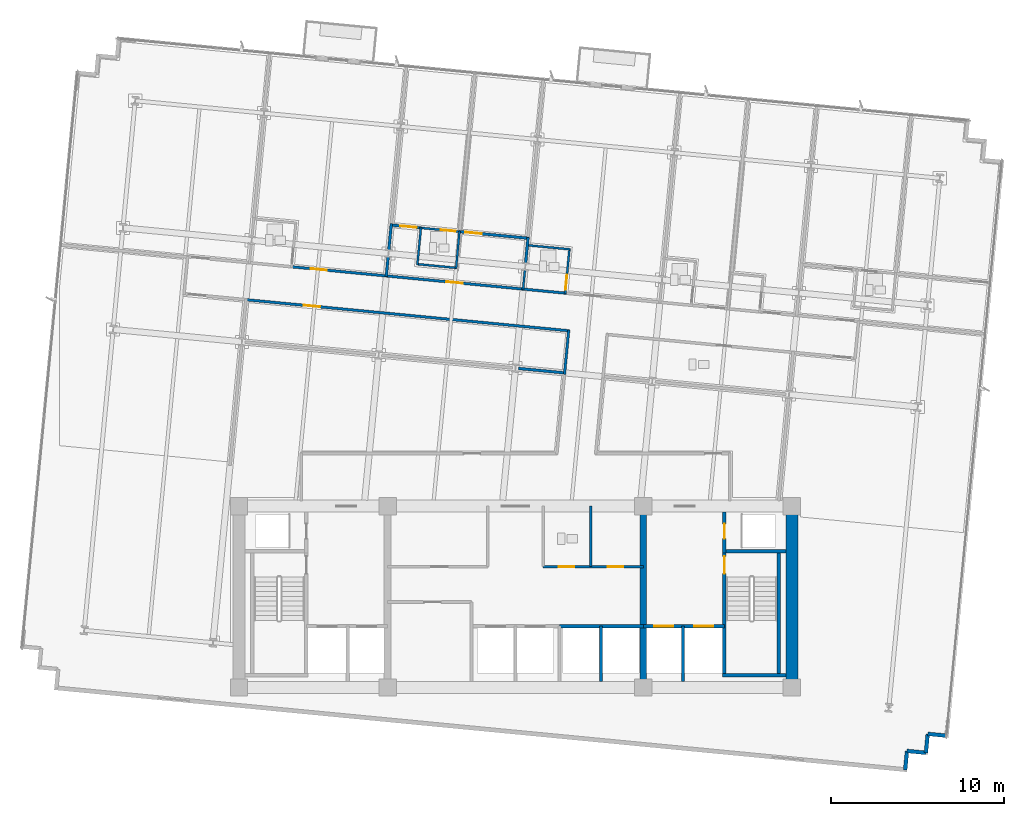
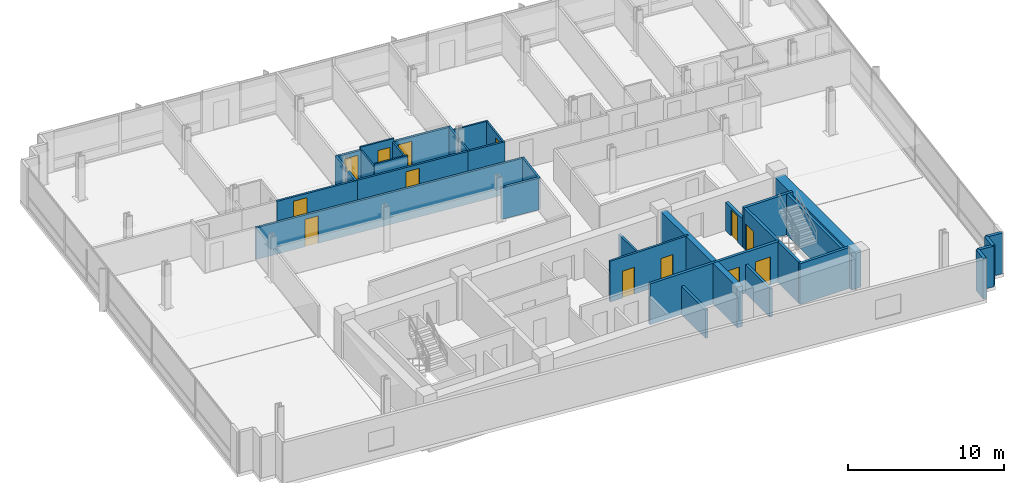
# One storey, part 11 of 17: 35 walls, 13 doors, 13 openings.
"""IFC4 building model written with IfcOpenShell, lengths in metres."""

from ifc_helpers import new_model, si_unit, direction, frame, frame_2d, origin, place, context, subcontext, project, spatial, rectangle, extrude, material, layer, layer_set, type_object, element, fill, save


model = new_model("IFC4")

# Units and contexts
model_context = context("Model", 3, precision=1e-05, world=origin(), true_north=direction((0.0, 1.0)))
body_context = subcontext(model_context, "Body", "Model", "MODEL_VIEW")
ifc_project = project(units=[si_unit("LENGTHUNIT", "METRE"), si_unit("AREAUNIT", "SQUARE_METRE"), si_unit("VOLUMEUNIT", "CUBIC_METRE"), si_unit("PLANEANGLEUNIT", "RADIAN"), si_unit("MASSUNIT", "GRAM", prefix="KILO")], contexts=[model_context])

# Site, building, storey
site_placement = place(None, origin())
site = spatial("IfcSite", under=ifc_project, at=site_placement, CompositionType="ELEMENT")
building_placement = place(site_placement, origin())
building = spatial("IfcBuilding", under=site, at=building_placement, Name="Solmavex Isthmus Hotel", CompositionType="ELEMENT")
storey_placement = place(building_placement, frame((0.0, 0.0, 142.800048828125)))
storey = spatial("IfcBuildingStorey", under=building, at=storey_placement, Name="L38", CompositionType="ELEMENT", Elevation=142.800048828125)

# Walls
ifc_material_1 = material(Name="Precast Concrete C40/50", Category="concrete")
ifc_layer_1 = layer(ifc_material_1, 0.25)
ifc_layer_set_1 = layer_set([ifc_layer_1], Name="Precast Concrete C40/50")
wall_type_1 = type_object("IfcWallType", Name="EW-TWR-250", PredefinedType="STANDARD", material=ifc_layer_set_1)
for number, where, z_axis, x_axis, name in (
    (1, (24.966552734375, -15.79052734375, 0.0), (0.0, 0.0, 1.0), (-0.995393156894, 0.095877334176, 0.0), "Serrated Corner Facade Panel L38-22"),
    (2, (23.87158203125, -15.68505859375, 0.0), (0.0, 0.0, 1.0), (-0.095877334176, -0.995393156894, 0.0), "Serrated Corner Facade Panel L38-23"),
    (3, (23.76611328125, -16.780029296875, 0.0), (0.0, 0.0, 1.0), (-0.995393156894, 0.095877334176, 0.0), "Serrated Corner Facade Panel L38-24"),
    (4, (22.671142578125, -16.674560546875, 0.0), (0.0, 0.0, 1.0), (-0.095657429048, -0.995414313875, 0.0), "Serrated Corner Facade Panel L38-25"),
):
    element("IfcWall", number, at=place(storey_placement, frame(where, z_axis=z_axis, x_axis=x_axis)), inside=storey, type_object=wall_type_1, Name=name, PredefinedType="STANDARD", context=body_context, shape_type="SweptSolid", body=[
        extrude(rectangle(XDim=1.10009765625, YDim=0.219970703125, at=frame_2d((0.550048828125, 0.0))), origin(), (0.0, 0.0, 1.0), 3.18994140625),
    ])
ifc_material_2 = material(Name="Gypsum plasterboard lining", Category="gypsum")
ifc_layer_2 = layer(ifc_material_2, 0.159912109375)
ifc_layer_set_2 = layer_set([ifc_layer_2], Name="Gypsum plasterboard lining")
wall_type_2 = type_object("IfcWallType", Name="IW-COMP-160", PredefinedType="PARTITIONING", material=ifc_layer_set_2)
wall_1_placement = place(storey_placement, frame((-7.36865234375, 11.95849609375, 0.0), z_axis=(0.0, 0.0, 1.0), x_axis=(-0.095831494917, -0.995397571115, 0.0)))
element("IfcWall", 5, at=wall_1_placement, inside=storey, type_object=wall_type_2, Name="Interior Partition Wall W-L38-P033", PredefinedType="PARTITIONING", context=body_context, shape_type="SweptSolid", body=[
    extrude(rectangle(XDim=1.171875, YDim=0.159912109375, at=frame_2d((0.5859375, 0.0))), origin(), (0.0, 0.0, 1.0), 2.4794921875),
])
wall_2_placement = place(storey_placement, frame((-7.185791015625, 13.857666015625, 0.0), z_axis=(0.0, 0.0, 1.0), x_axis=(-0.095867871334, -0.99539406832, 0.0)))
element("IfcWall", 6, at=wall_2_placement, inside=storey, type_object=wall_type_2, Name="Interior Partition Wall W-L38-P034", PredefinedType="PARTITIONING", context=body_context, shape_type="SweptSolid", body=[
    extrude(rectangle(XDim=1.555908203125, YDim=0.159912109375, at=frame_2d((0.77783203125, 0.0))), origin(), (0.0, 0.0, 1.0), 2.4794921875),
])

# Wall, opening, door
wall_3_placement = place(storey_placement, frame((-7.2333984375, 13.780029296875, 0.0), z_axis=(0.0, 0.0, 1.0), x_axis=(0.995392932756, -0.095879661139, 0.0)))
wall_3 = element("IfcWall", 7, at=wall_3_placement, inside=storey, type_object=wall_type_2, Name="Interior Partition Wall W-L38-P037", PredefinedType="PARTITIONING", context=body_context, shape_type="SweptSolid", body=[
    extrude(rectangle(XDim=1.807861328125, YDim=0.159912109375, at=frame_2d((0.90380859375, 0.0))), origin(), (0.0, 0.0, 1.0), 2.4794921875),
])
opening_1_placement = place(wall_3_placement, frame((0.57421875, 0.0, 0.0)))
opening_1 = element("IfcOpeningElement", 8, at=opening_1_placement, cuts=wall_3, Name="Opening ID-C095", PredefinedType="OPENING", context=body_context, shape_type="SweptSolid", body=[
    extrude(rectangle(XDim=0.949951171875, YDim=2.14990234375, at=frame_2d((0.47509765625, 1.074951171875))), frame((0.0, 0.08984375, 0.0), z_axis=(0.0, -1.0, 0.0), x_axis=(1.0, 0.0, 0.0)), (0.0, 0.0, 1.0), 0.179931640625),
])
ifc_material_3 = material(Name="Hardwood timber", Category="wood")
door_type_1 = type_object("IfcDoorType", Name="IDR-FD60-0950", OperationType="NOTDEFINED", PredefinedType="DOOR", material=ifc_material_3)
door_1_placement = place(opening_1_placement, origin())
door_1 = element("IfcDoor", 9, at=door_1_placement, inside=storey, type_object=door_type_1, Name="Premier Suite Bedroom Door L38-05", OperationType="SINGLE_SWING_LEFT", OverallHeight=2.14990234375, OverallWidth=0.949951171875, PredefinedType="DOOR", context=body_context, shape_type="SweptSolid", body=[
    extrude(rectangle(XDim=0.949951171875, YDim=2.14990234375, at=frame_2d((0.47509765625, 1.074951171875))), frame((0.0, 0.02490234375, 0.0), z_axis=(0.0, -1.0, 0.0), x_axis=(1.0, 0.0, 0.0)), (0.0, 0.0, 1.0), 0.050048828125),
])
fill(opening_1, door_1)

wall_4_placement = place(storey_placement, frame((-3.28369140625, 13.399658203125, 0.0), z_axis=(0.0, 0.0, 1.0), x_axis=(0.995395934192, -0.095848496045, 0.0)))
wall_4 = element("IfcWall", 10, at=wall_4_placement, inside=storey, type_object=wall_type_2, Name="Interior Partition Wall W-L38-P038", PredefinedType="PARTITIONING", context=body_context, shape_type="SweptSolid", body=[
    extrude(rectangle(XDim=4.06787109375, YDim=0.159912109375, at=frame_2d((2.033935546875, 0.0))), origin(), (0.0, 0.0, 1.0), 2.4794921875),
])
opening_2_placement = place(wall_4_placement, frame((0.386474609375, 0.0, 0.0)))
opening_2 = element("IfcOpeningElement", 11, at=opening_2_placement, cuts=wall_4, Name="Opening ID-C095", PredefinedType="OPENING", context=body_context, shape_type="SweptSolid", body=[
    extrude(rectangle(XDim=0.949951171875, YDim=2.14990234375, at=frame_2d((0.47509765625, 1.074951171875))), frame((0.0, 0.08984375, 0.0), z_axis=(0.0, -1.0, 0.0), x_axis=(1.0, 0.0, 0.0)), (0.0, 0.0, 1.0), 0.179931640625),
])
door_2_placement = place(opening_2_placement, origin())
door_2 = element("IfcDoor", 12, at=door_2_placement, inside=storey, type_object=door_type_1, Name="Premier Suite Sitting Lounge Door L38-06", OperationType="SINGLE_SWING_RIGHT", OverallHeight=2.14990234375, OverallWidth=0.949951171875, PredefinedType="DOOR", context=body_context, shape_type="SweptSolid", body=[
    extrude(rectangle(XDim=0.949951171875, YDim=2.14990234375, at=frame_2d((0.47509765625, 1.074951171875))), frame((0.0, 0.02490234375, 0.0), z_axis=(0.0, -1.0, 0.0), x_axis=(1.0, 0.0, 0.0)), (0.0, 0.0, 1.0), 0.050048828125),
])
fill(opening_2, door_2)

# Walls
wall_5_placement = place(storey_placement, frame((0.7294921875, 13.053466796875, 0.0), z_axis=(0.0, 0.0, 1.0), x_axis=(-0.095783075571, -0.995402231479, 0.0)))
element("IfcWall", 13, at=wall_5_placement, inside=storey, type_object=wall_type_2, Name="Interior Partition Wall W-L38-P042", PredefinedType="PARTITIONING", context=body_context, shape_type="SweptSolid", body=[
    extrude(rectangle(XDim=1.51416015625, YDim=0.159912109375, at=frame_2d((0.757080078125, 0.0))), origin(), (0.0, 0.0, 1.0), 2.4794921875),
])
wall_6_placement = place(storey_placement, frame((2.885986328125, 5.212646484375, 0.0), z_axis=(0.0, 0.0, 1.0), x_axis=(-0.995401466761, 0.095791022391, 0.0)))
element("IfcWall", 14, at=wall_6_placement, inside=storey, type_object=wall_type_2, Name="Interior Partition Wall W-L38-P078", PredefinedType="PARTITIONING", context=body_context, shape_type="SweptSolid", body=[
    extrude(rectangle(XDim=2.721923828125, YDim=0.159912109375, at=frame_2d((1.36083984375, 0.0))), origin(), (0.0, 0.0, 1.0), 2.4794921875),
])

# Wall, openings, doors
ifc_layer_3 = layer(ifc_material_2, 0.14990234375)
ifc_layer_set_3 = layer_set([ifc_layer_3], Name="Gypsum plasterboard lining")
wall_type_3 = type_object("IfcWallType", Name="IW-CORR-150", PredefinedType="PARTITIONING", material=ifc_layer_set_3)
wall_7_placement = place(storey_placement, frame((1.60009765625, -6.0, 0.0), z_axis=(0.0, 0.0, 1.0), x_axis=(1.0, 0.0, 0.0)))
wall_7 = element("IfcWall", 15, at=wall_7_placement, inside=storey, type_object=wall_type_3, Name="Interior Partition Wall W-L38-BOH-ES", PredefinedType="PARTITIONING", context=body_context, shape_type="SweptSolid", body=[
    extrude(rectangle(XDim=5.7998046875, YDim=0.14990234375, at=frame_2d((2.89990234375, 0.0))), origin(), (0.0, 0.0, 1.0), 3.18994140625),
])
opening_3_placement = place(wall_7_placement, frame((0.89990234375, 0.0, 0.0)))
opening_3 = element("IfcOpeningElement", 16, at=opening_3_placement, cuts=wall_7, Name="Opening ID-C090", PredefinedType="OPENING", context=body_context, shape_type="SweptSolid", body=[
    extrude(rectangle(XDim=0.89990234375, YDim=2.10009765625, at=frame_2d((0.449951171875, 1.050048828125))), frame((0.0, 0.0849609375, 0.0), z_axis=(0.0, -1.0, 0.0), x_axis=(1.0, 0.0, 0.0)), (0.0, 0.0, 1.0), 0.169921875),
])
opening_4_placement = place(wall_7_placement, frame((3.75, 0.0, 0.0)))
opening_4 = element("IfcOpeningElement", 17, at=opening_4_placement, cuts=wall_7, Name="Opening ID-C090", PredefinedType="OPENING", context=body_context, shape_type="SweptSolid", body=[
    extrude(rectangle(XDim=0.89990234375, YDim=2.10009765625, at=frame_2d((0.449951171875, 1.050048828125))), frame((0.0, 0.0849609375, 0.0), z_axis=(0.0, -1.0, 0.0), x_axis=(1.0, 0.0, 0.0)), (0.0, 0.0, 1.0), 0.169921875),
])
door_type_2 = type_object("IfcDoorType", Name="IDR-FD60-0900", OperationType="NOTDEFINED", PredefinedType="DOOR", material=ifc_material_3)
door_3_placement = place(opening_3_placement, frame((0.89990234375, 0.0, 0.0), z_axis=(0.0, 0.0, 1.0), x_axis=(-1.0, 0.0, 0.0)))
door_3 = element("IfcDoor", 18, at=door_3_placement, inside=storey, type_object=door_type_2, Name="Staff WC Door L38", OperationType="SINGLE_SWING_RIGHT", OverallHeight=2.10009765625, OverallWidth=0.89990234375, PredefinedType="DOOR", context=body_context, shape_type="SweptSolid", body=[
    extrude(rectangle(XDim=0.89990234375, YDim=2.10009765625, at=frame_2d((0.449951171875, 1.050048828125))), frame((0.0, 0.02490234375, 0.0), z_axis=(0.0, -1.0, 0.0), x_axis=(1.0, 0.0, 0.0)), (0.0, 0.0, 1.0), 0.050048828125),
])
fill(opening_3, door_3)
door_4_placement = place(opening_4_placement, frame((0.89990234375, 0.0, 0.0), z_axis=(0.0, 0.0, 1.0), x_axis=(-1.0, 0.0, 0.0)))
door_4 = element("IfcDoor", 19, at=door_4_placement, inside=storey, type_object=door_type_2, Name="Pantry Door L38", OperationType="SINGLE_SWING_LEFT", OverallHeight=2.10009765625, OverallWidth=0.89990234375, PredefinedType="DOOR", context=body_context, shape_type="SweptSolid", body=[
    extrude(rectangle(XDim=0.89990234375, YDim=2.10009765625, at=frame_2d((0.449951171875, 1.050048828125))), frame((0.0, 0.02490234375, 0.0), z_axis=(0.0, -1.0, 0.0), x_axis=(1.0, 0.0, 0.0)), (0.0, 0.0, 1.0), 0.050048828125),
])
fill(opening_4, door_4)

# Wall, opening, door
wall_8_placement = place(storey_placement, frame((-13.03955078125, 11.3671875, 0.0), z_axis=(0.0, 0.0, 1.0), x_axis=(0.995396240334, -0.095845316679, 0.0)))
wall_8 = element("IfcWall", 20, at=wall_8_placement, inside=storey, type_object=wall_type_3, Name="Interior Partition Wall W-L38-P002", PredefinedType="PARTITIONING", context=body_context, shape_type="SweptSolid", body=[
    extrude(rectangle(XDim=5.670166015625, YDim=0.14990234375, at=frame_2d((2.8349609375, 0.0))), origin(), (0.0, 0.0, 1.0), 2.4794921875),
])
opening_5_placement = place(wall_8_placement, frame((1.18603515625, 0.0, 0.0)))
opening_5 = element("IfcOpeningElement", 21, at=opening_5_placement, cuts=wall_8, Name="Opening ID-C095", PredefinedType="OPENING", context=body_context, shape_type="SweptSolid", body=[
    extrude(rectangle(XDim=0.949951171875, YDim=2.14990234375, at=frame_2d((0.47509765625, 1.074951171875))), frame((0.0, 0.0849609375, 0.0), z_axis=(0.0, -1.0, 0.0), x_axis=(1.0, 0.0, 0.0)), (0.0, 0.0, 1.0), 0.169921875),
])
door_5_placement = place(opening_5_placement, frame((0.949951171875, 0.0, 0.0), z_axis=(0.0, 0.0, 1.0), x_axis=(-1.0, 0.0, 0.0)))
door_5 = element("IfcDoor", 22, at=door_5_placement, inside=storey, type_object=door_type_1, Name="Premier Suite Door L38-02", OperationType="SINGLE_SWING_RIGHT", OverallHeight=2.14990234375, OverallWidth=0.949951171875, PredefinedType="DOOR", context=body_context, shape_type="SweptSolid", body=[
    extrude(rectangle(XDim=0.949951171875, YDim=2.14990234375, at=frame_2d((0.47509765625, 1.074951171875))), frame((0.0, 0.02490234375, 0.0), z_axis=(0.0, -1.0, 0.0), x_axis=(1.0, 0.0, 0.0)), (0.0, 0.0, 1.0), 0.050048828125),
])
fill(opening_5, door_5)

wall_9_placement = place(storey_placement, frame((-7.558837890625, 10.839599609375, 0.0), z_axis=(0.0, 0.0, 1.0), x_axis=(0.995395467524, -0.095853342309, 0.0)))
wall_9 = element("IfcWall", 23, at=wall_9_placement, inside=storey, type_object=wall_type_3, Name="Interior Partition Wall W-L38-P004", PredefinedType="PARTITIONING", context=body_context, shape_type="SweptSolid", body=[
    extrude(rectangle(XDim=8.119873046875, YDim=0.14990234375, at=frame_2d((4.06005859375, 0.0))), origin(), (0.0, 0.0, 1.0), 2.4794921875),
])
opening_6_placement = place(wall_9_placement, frame((3.5849609375, 0.0, 0.0)))
opening_6 = element("IfcOpeningElement", 24, at=opening_6_placement, cuts=wall_9, Name="Opening ID-C095", PredefinedType="OPENING", context=body_context, shape_type="SweptSolid", body=[
    extrude(rectangle(XDim=0.949951171875, YDim=2.14990234375, at=frame_2d((0.47509765625, 1.074951171875))), frame((0.0, 0.0849609375, 0.0), z_axis=(0.0, -1.0, 0.0), x_axis=(1.0, 0.0, 0.0)), (0.0, 0.0, 1.0), 0.169921875),
])
door_6_placement = place(opening_6_placement, frame((0.949951171875, 0.0, 0.0), z_axis=(0.0, 0.0, 1.0), x_axis=(-1.0, 0.0, 0.0)))
door_6 = element("IfcDoor", 25, at=door_6_placement, inside=storey, type_object=door_type_1, Name="Premier Suite Reception Foyer Door L38-04", OperationType="SINGLE_SWING_RIGHT", OverallHeight=2.14990234375, OverallWidth=0.949951171875, PredefinedType="DOOR", context=body_context, shape_type="SweptSolid", body=[
    extrude(rectangle(XDim=0.949951171875, YDim=2.14990234375, at=frame_2d((0.47509765625, 1.074951171875))), frame((0.0, 0.02490234375, 0.0), z_axis=(0.0, -1.0, 0.0), x_axis=(1.0, 0.0, 0.0)), (0.0, 0.0, 1.0), 0.050048828125),
])
fill(opening_6, door_6)

# Walls
wall_10_placement = place(storey_placement, frame((0.360595703125, 10.076904296875, 0.0), z_axis=(0.0, 0.0, 1.0), x_axis=(0.995397556197, -0.095831649869, 0.0)))
element("IfcWall", 26, at=wall_10_placement, inside=storey, type_object=wall_type_3, Name="Interior Partition Wall W-L38-P006", PredefinedType="PARTITIONING", context=body_context, shape_type="SweptSolid", body=[
    extrude(rectangle(XDim=2.61376953125, YDim=0.14990234375, at=frame_2d((1.306884765625, 0.0))), origin(), (0.0, 0.0, 1.0), 2.4794921875),
])
wall_11_placement = place(storey_placement, frame((2.83837890625, 5.134765625, 0.0), z_axis=(0.0, 0.0, 1.0), x_axis=(0.095772090971, 0.995403288417, 0.0)))
element("IfcWall", 27, at=wall_11_placement, inside=storey, type_object=wall_type_3, Name="Interior Partition Wall W-L38-P014", PredefinedType="PARTITIONING", context=body_context, shape_type="SweptSolid", body=[
    extrude(rectangle(XDim=2.572021484375, YDim=0.14990234375, at=frame_2d((1.2861328125, 0.0))), origin(), (0.0, 0.0, 1.0), 2.4794921875),
])

# Wall, opening, door
wall_12_placement = place(storey_placement, frame((3.120849609375, 7.6513671875, 0.0), z_axis=(0.0, 0.0, 1.0), x_axis=(-0.995397135603, 0.095836018457, 0.0)))
wall_12 = element("IfcWall", 28, at=wall_12_placement, inside=storey, type_object=wall_type_3, Name="Interior Partition Wall W-L38-P015", PredefinedType="PARTITIONING", context=body_context, shape_type="SweptSolid", body=[
    extrude(rectangle(XDim=18.89208984375, YDim=0.14990234375, at=frame_2d((9.446044921875, 0.0))), origin(), (0.0, 0.0, 1.0), 2.4794921875),
])
opening_7_placement = place(wall_12_placement, frame((14.501708984375, 0.0, 0.0)))
opening_7 = element("IfcOpeningElement", 29, at=opening_7_placement, cuts=wall_12, Name="Opening ID-C095", PredefinedType="OPENING", context=body_context, shape_type="SweptSolid", body=[
    extrude(rectangle(XDim=0.949951171875, YDim=2.14990234375, at=frame_2d((0.47509765625, 1.074951171875))), frame((0.0, 0.0849609375, 0.0), z_axis=(0.0, -1.0, 0.0), x_axis=(1.0, 0.0, 0.0)), (0.0, 0.0, 1.0), 0.169921875),
])
door_7_placement = place(opening_7_placement, frame((0.949951171875, 0.0, 0.0), z_axis=(0.0, 0.0, 1.0), x_axis=(-1.0, 0.0, 0.0)))
door_7 = element("IfcDoor", 30, at=door_7_placement, inside=storey, type_object=door_type_1, Name="Wellness Treatment Room Door L38-19", OperationType="SINGLE_SWING_LEFT", OverallHeight=2.14990234375, OverallWidth=0.949951171875, PredefinedType="DOOR", context=body_context, shape_type="SweptSolid", body=[
    extrude(rectangle(XDim=0.949951171875, YDim=2.14990234375, at=frame_2d((0.47509765625, 1.074951171875))), frame((0.0, 0.02490234375, 0.0), z_axis=(0.0, -1.0, 0.0), x_axis=(1.0, 0.0, 0.0)), (0.0, 0.0, 1.0), 0.050048828125),
])
fill(opening_7, door_7)

# Walls
ifc_layer_4 = layer(ifc_material_2, 0.1201171875)
ifc_layer_set_4 = layer_set([ifc_layer_4], Name="Gypsum plasterboard lining")
wall_type_4 = type_object("IfcWallType", Name="IW-PART-120", PredefinedType="PARTITIONING", material=ifc_layer_set_4)
wall_13_placement = place(storey_placement, frame((4.35009765625, -6.0, 0.0), z_axis=(0.0, 0.0, 1.0), x_axis=(0.0, 1.0, 0.0)))
element("IfcWall", 31, at=wall_13_placement, inside=storey, type_object=wall_type_4, Name="Interior Partition Wall W-L38-BOH-EM0", PredefinedType="PARTITIONING", context=body_context, shape_type="SweptSolid", body=[
    extrude(rectangle(XDim=3.5, YDim=0.14990234375, at=frame_2d((1.75, 0.0))), origin(), (0.0, 0.0, 1.0), 2.224853515625),
])
wall_14_placement = place(storey_placement, frame((-5.4697265625, 13.650390625, 0.0), z_axis=(0.0, 0.0, 1.0), x_axis=(-0.095846349626, -0.995396140872, 0.0)))
element("IfcWall", 32, at=wall_14_placement, inside=storey, type_object=wall_type_4, Name="Interior Partition Wall W-L38-P039", PredefinedType="PARTITIONING", context=body_context, shape_type="SweptSolid", body=[
    extrude(rectangle(XDim=2.18798828125, YDim=0.1201171875, at=frame_2d((1.093994140625, 0.0))), origin(), (0.0, 0.0, 1.0), 2.4794921875),
])
wall_15_placement = place(storey_placement, frame((-5.715576171875, 11.51611328125, 0.0), z_axis=(0.0, 0.0, 1.0), x_axis=(0.995393658532, -0.095872126059, 0.0)))
element("IfcWall", 33, at=wall_15_placement, inside=storey, type_object=wall_type_4, Name="Interior Partition Wall W-L38-P040", PredefinedType="PARTITIONING", context=body_context, shape_type="SweptSolid", body=[
    extrude(rectangle(XDim=2.330078125, YDim=0.1201171875, at=frame_2d((1.1650390625, 0.0))), origin(), (0.0, 0.0, 1.0), 2.718017578125),
])
wall_16_placement = place(storey_placement, frame((-3.439697265625, 11.256591796875, 0.0), z_axis=(0.0, 0.0, 1.0), x_axis=(0.091159469261, 0.995836307414, 0.0)))
element("IfcWall", 34, at=wall_16_placement, inside=storey, type_object=wall_type_4, Name="Interior Partition Wall W-L38-P041", PredefinedType="PARTITIONING", context=body_context, shape_type="SweptSolid", body=[
    extrude(rectangle(XDim=2.18798828125, YDim=0.1201171875, at=frame_2d((1.093994140625, 0.0))), origin(), (0.0, 0.0, 1.0), 2.4794921875),
])
wall_17_placement = place(storey_placement, frame((0.55078125, 11.196044921875, 0.0), z_axis=(0.0, 0.0, 1.0), x_axis=(-0.096017994315, -0.995379598328, 0.0)))
element("IfcWall", 35, at=wall_17_placement, inside=storey, type_object=wall_type_4, Name="Interior Partition Wall W-L38-P043", PredefinedType="PARTITIONING", context=body_context, shape_type="SweptSolid", body=[
    extrude(rectangle(XDim=1.172119140625, YDim=0.1201171875, at=frame_2d((0.5859375, 0.0))), origin(), (0.0, 0.0, 1.0), 2.4794921875),
])

# Wall, opening, door
wall_18_placement = place(storey_placement, frame((-3.194091796875, 13.390869140625, 0.0), z_axis=(0.0, 0.0, 1.0), x_axis=(-0.995388451302, 0.095926174813, 0.0)))
wall_18 = element("IfcWall", 36, at=wall_18_placement, inside=storey, type_object=wall_type_4, Name="Interior Partition Wall W-L38-P045", PredefinedType="PARTITIONING", context=body_context, shape_type="SweptSolid", body=[
    extrude(rectangle(XDim=2.3720703125, YDim=0.1201171875, at=frame_2d((1.18603515625, 0.0))), origin(), (0.0, 0.0, 1.0), 2.718017578125),
])
opening_8_placement = place(wall_18_placement, frame((0.27978515625, 0.0, 0.0)))
opening_8 = element("IfcOpeningElement", 37, at=opening_8_placement, cuts=wall_18, Name="Opening ID-U085", PredefinedType="OPENING", context=body_context, shape_type="SweptSolid", body=[
    extrude(rectangle(XDim=0.85009765625, YDim=2.10009765625, at=frame_2d((0.425048828125, 1.050048828125))), frame((0.0, 0.070068359375, 0.0), z_axis=(0.0, -1.0, 0.0), x_axis=(1.0, 0.0, 0.0)), (0.0, 0.0, 1.0), 0.14013671875),
])
door_type_3 = type_object("IfcDoorType", Name="IDR-UNR-0850", OperationType="NOTDEFINED", PredefinedType="DOOR", material=ifc_material_3)
door_8_placement = place(opening_8_placement, frame((0.85009765625, 0.0, 0.0), z_axis=(0.0, 0.0, 1.0), x_axis=(-1.0, 0.0, 0.0)))
door_8 = element("IfcDoor", 38, at=door_8_placement, inside=storey, type_object=door_type_3, Name="En-suite Bathroom Door L38-07", OperationType="SINGLE_SWING_LEFT", OverallHeight=2.10009765625, OverallWidth=0.85009765625, PredefinedType="DOOR", context=body_context, shape_type="SweptSolid", body=[
    extrude(rectangle(XDim=0.85009765625, YDim=2.10009765625, at=frame_2d((0.425048828125, 1.050048828125))), frame((0.0, 0.02490234375, 0.0), z_axis=(0.0, -1.0, 0.0), x_axis=(1.0, 0.0, 0.0)), (0.0, 0.0, 1.0), 0.050048828125),
])
fill(opening_8, door_8)

wall_19_placement = place(storey_placement, frame((2.876953125, 9.79443359375, 0.0), z_axis=(0.0, 0.0, 1.0), x_axis=(0.095891053428, 0.995391835345, 0.0)))
wall_19 = element("IfcWall", 39, at=wall_19_placement, inside=storey, type_object=wall_type_4, Name="Interior Partition Wall W-L38-P048", PredefinedType="PARTITIONING", context=body_context, shape_type="SweptSolid", body=[
    extrude(rectangle(XDim=2.630126953125, YDim=0.1201171875, at=frame_2d((1.31494140625, 0.0))), origin(), (0.0, 0.0, 1.0), 2.4794921875),
])
opening_9_placement = place(wall_19_placement, frame((0.247314453125, 0.0, 0.0)))
opening_9 = element("IfcOpeningElement", 40, at=opening_9_placement, cuts=wall_19, Name="Opening ID-U085", PredefinedType="OPENING", context=body_context, shape_type="SweptSolid", body=[
    extrude(rectangle(XDim=0.85009765625, YDim=2.10009765625, at=frame_2d((0.425048828125, 1.050048828125))), frame((0.0, 0.070068359375, 0.0), z_axis=(0.0, -1.0, 0.0), x_axis=(1.0, 0.0, 0.0)), (0.0, 0.0, 1.0), 0.14013671875),
])
door_9_placement = place(opening_9_placement, frame((0.85009765625, 0.0, 0.0), z_axis=(0.0, 0.0, 1.0), x_axis=(-1.0, 0.0, 0.0)))
door_9 = element("IfcDoor", 41, at=door_9_placement, inside=storey, type_object=door_type_3, Name="En-suite Bathroom Door L38-09", OperationType="SINGLE_SWING_LEFT", OverallHeight=2.10009765625, OverallWidth=0.85009765625, PredefinedType="DOOR", context=body_context, shape_type="SweptSolid", body=[
    extrude(rectangle(XDim=0.85009765625, YDim=2.10009765625, at=frame_2d((0.425048828125, 1.050048828125))), frame((0.0, 0.02490234375, 0.0), z_axis=(0.0, -1.0, 0.0), x_axis=(1.0, 0.0, 0.0)), (0.0, 0.0, 1.0), 0.050048828125),
])
fill(opening_9, door_9)

# Walls
wall_20_placement = place(storey_placement, frame((3.1650390625, 12.36865234375, 0.0), z_axis=(0.0, 0.0, 1.0), x_axis=(-0.995389028655, 0.095920183663, 0.0)))
element("IfcWall", 42, at=wall_20_placement, inside=storey, type_object=wall_type_4, Name="Interior Partition Wall W-L38-P049", PredefinedType="PARTITIONING", context=body_context, shape_type="SweptSolid", body=[
    extrude(rectangle(XDim=2.530029296875, YDim=0.1201171875, at=frame_2d((1.26513671875, 0.0))), origin(), (0.0, 0.0, 1.0), 2.4794921875),
])
ifc_material_4 = material(Name="Concrete C40/50", Category="concrete")
ifc_layer_5 = layer(ifc_material_4, 0.179931640625)
ifc_layer_set_5 = layer_set([ifc_layer_5], Name="Concrete C40/50")
wall_type_5 = type_object("IfcWallType", Name="IW-SHAFT-180", PredefinedType="PARTITIONING", material=ifc_layer_set_5)
wall_21_placement = place(storey_placement, frame((4.949951171875, -12.64990234375, 0.0), z_axis=(0.0, 0.0, 1.0), x_axis=(0.0, 1.0, 0.0)))
element("IfcWall", 43, at=wall_21_placement, inside=storey, type_object=wall_type_5, Name="Interior Partition Wall W-L38-SH-PLH-M", PredefinedType="PARTITIONING", context=body_context, shape_type="SweptSolid", body=[
    extrude(rectangle(XDim=3.199951171875, YDim=0.179931640625, at=frame_2d((1.60009765625, 0.0))), origin(), (0.0, 0.0, 1.0), 2.224853515625),
])

# Wall, opening, door
ifc_layer_6 = layer(ifc_material_4, 0.199951171875)
ifc_layer_set_6 = layer_set([ifc_layer_6], Name="Concrete C40/50")
wall_type_6 = type_object("IfcWallType", Name="IW-SHAFT-200", PredefinedType="PARTITIONING", material=ifc_layer_set_6)
wall_22_placement = place(storey_placement, frame((12.10009765625, -5.199951171875, 0.0), z_axis=(0.0, 0.0, 1.0), x_axis=(0.0, 1.0, 0.0)))
wall_22 = element("IfcWall", 44, at=wall_22_placement, inside=storey, type_object=wall_type_6, Name="Interior Partition Wall W-L38-RSE-W", PredefinedType="PARTITIONING", context=body_context, shape_type="SweptSolid", body=[
    extrude(rectangle(XDim=2.349853515625, YDim=0.199951171875, at=frame_2d((1.1748046875, 0.0))), origin(), (0.0, 0.0, 1.0), 2.224853515625),
])
opening_10_placement = place(wall_22_placement, frame((0.824951171875, 0.0, 0.0)))
opening_10 = element("IfcOpeningElement", 45, at=opening_10_placement, cuts=wall_22, Name="Opening ID-R085", PredefinedType="OPENING", context=body_context, shape_type="SweptSolid", body=[
    extrude(rectangle(XDim=0.85009765625, YDim=2.050048828125, at=frame_2d((0.425048828125, 1.02490234375))), frame((0.0, 0.10986328125, 0.0), z_axis=(0.0, -1.0, 0.0), x_axis=(1.0, 0.0, 0.0)), (0.0, 0.0, 1.0), 0.219970703125),
])
ifc_material_5 = material(Name="Steel ASTM A500 Grade C", Category="steel")
door_type_4 = type_object("IfcDoorType", Name="IDR-FD60-0850", OperationType="NOTDEFINED", PredefinedType="DOOR", material=ifc_material_5)
door_10_placement = place(opening_10_placement, frame((0.85009765625, 0.0, 0.0), z_axis=(0.0, 0.0, 1.0), x_axis=(-1.0, 0.0, 0.0)))
door_10 = element("IfcDoor", 46, at=door_10_placement, inside=storey, type_object=door_type_4, Name="Mechanical Riser Door L38", OperationType="SINGLE_SWING_LEFT", OverallHeight=2.050048828125, OverallWidth=0.85009765625, PredefinedType="DOOR", context=body_context, shape_type="SweptSolid", body=[
    extrude(rectangle(XDim=0.85009765625, YDim=2.050048828125, at=frame_2d((0.425048828125, 1.02490234375))), frame((0.0, 0.02490234375, 0.0), z_axis=(0.0, -1.0, 0.0), x_axis=(1.0, 0.0, 0.0)), (0.0, 0.0, 1.0), 0.050048828125),
])
fill(opening_10, door_10)

# Wall, openings, doors
wall_23_placement = place(storey_placement, frame((7.39990234375, -9.449951171875, 0.0), z_axis=(0.0, 0.0, 1.0), x_axis=(1.0, 0.0, 0.0)))
wall_23 = element("IfcWall", 47, at=wall_23_placement, inside=storey, type_object=wall_type_6, Name="Interior Partition Wall W-L38-FFLE-S", PredefinedType="PARTITIONING", context=body_context, shape_type="SweptSolid", body=[
    extrude(rectangle(XDim=4.7001953125, YDim=0.199951171875, at=frame_2d((2.35009765625, 0.0))), origin(), (0.0, 0.0, 1.0), 3.18994140625),
])
opening_11_placement = place(wall_23_placement, frame((2.949951171875, 0.0, 0.0)))
opening_11 = element("IfcOpeningElement", 48, at=opening_11_placement, cuts=wall_23, Name="Opening LD-FF", PredefinedType="OPENING", context=body_context, shape_type="SweptSolid", body=[
    extrude(rectangle(XDim=1.10009765625, YDim=2.199951171875, at=frame_2d((0.550048828125, 1.10009765625))), frame((0.0, 0.10986328125, 0.0), z_axis=(0.0, -1.0, 0.0), x_axis=(1.0, 0.0, 0.0)), (0.0, 0.0, 1.0), 0.219970703125),
])
opening_12_placement = place(wall_23_placement, frame((0.64990234375, 0.0, 0.0)))
opening_12 = element("IfcOpeningElement", 49, at=opening_12_placement, cuts=wall_23, Name="Opening LD-SV", PredefinedType="OPENING", context=body_context, shape_type="SweptSolid", body=[
    extrude(rectangle(XDim=1.10009765625, YDim=2.199951171875, at=frame_2d((0.550048828125, 1.10009765625))), frame((0.0, 0.10986328125, 0.0), z_axis=(0.0, -1.0, 0.0), x_axis=(1.0, 0.0, 0.0)), (0.0, 0.0, 1.0), 0.219970703125),
])
ifc_material_6 = material(Name="Stainless steel 316", Category="steel")
door_type_5 = type_object("IfcDoorType", Name="LDR-FF-1100", OperationType="NOTDEFINED", PredefinedType="DOOR", material=ifc_material_6)
door_11_placement = place(opening_11_placement, origin())
door_11 = element("IfcDoor", 50, at=door_11_placement, inside=storey, type_object=door_type_5, Name="Lift Landing Door FFL-2 L38", OperationType="SLIDING_TO_LEFT", OverallHeight=2.199951171875, OverallWidth=1.10009765625, PredefinedType="DOOR", context=body_context, shape_type="SweptSolid", body=[
    extrude(rectangle(XDim=1.10009765625, YDim=2.199951171875, at=frame_2d((0.550048828125, 1.10009765625))), frame((0.0, 0.02490234375, 0.0), z_axis=(0.0, -1.0, 0.0), x_axis=(1.0, 0.0, 0.0)), (0.0, 0.0, 1.0), 0.050048828125),
])
fill(opening_11, door_11)
door_type_6 = type_object("IfcDoorType", Name="LDR-SV-1100", OperationType="NOTDEFINED", PredefinedType="DOOR", material=ifc_material_6)
door_12_placement = place(opening_12_placement, origin())
door_12 = element("IfcDoor", 51, at=door_12_placement, inside=storey, type_object=door_type_6, Name="Lift Landing Door SVL-2 L38", OperationType="SLIDING_TO_RIGHT", OverallHeight=2.199951171875, OverallWidth=1.10009765625, PredefinedType="DOOR", context=body_context, shape_type="SweptSolid", body=[
    extrude(rectangle(XDim=1.10009765625, YDim=2.199951171875, at=frame_2d((0.550048828125, 1.10009765625))), frame((0.0, 0.02490234375, 0.0), z_axis=(0.0, -1.0, 0.0), x_axis=(1.0, 0.0, 0.0)), (0.0, 0.0, 1.0), 0.050048828125),
])
fill(opening_12, door_12)

# Walls
wall_24_placement = place(storey_placement, frame((9.699951171875, -12.64990234375, 0.0), z_axis=(0.0, 0.0, 1.0), x_axis=(0.0, 1.0, 0.0)))
element("IfcWall", 52, at=wall_24_placement, inside=storey, type_object=wall_type_6, Name="Interior Partition Wall W-L38-FFLE-M", PredefinedType="PARTITIONING", context=body_context, shape_type="SweptSolid", body=[
    extrude(rectangle(XDim=3.199951171875, YDim=0.199951171875, at=frame_2d((1.60009765625, 0.0))), origin(), (0.0, 0.0, 1.0), 2.224853515625),
])
wall_25_placement = place(storey_placement, frame((2.550048828125, -9.449951171875, 0.0), z_axis=(0.0, 0.0, 1.0), x_axis=(1.0, 0.0, 0.0)))
element("IfcWall", 53, at=wall_25_placement, inside=storey, type_object=wall_type_6, Name="Interior Partition Wall W-L38-SH-PLH", PredefinedType="PARTITIONING", context=body_context, shape_type="SweptSolid", body=[
    extrude(rectangle(XDim=4.849853515625, YDim=0.199951171875, at=frame_2d((2.4248046875, 0.0))), origin(), (0.0, 0.0, 1.0), 3.18994140625),
])
ifc_material_7 = material(Name="Concrete C60/75", Category="concrete")
ifc_layer_7 = layer(ifc_material_7, 0.39990234375)
ifc_layer_set_7 = layer_set([ifc_layer_7], Name="Concrete C60/75")
wall_type_7 = type_object("IfcWallType", Name="WALL-CW-400M", PredefinedType="SHEAR", material=ifc_layer_set_7)
wall_26_placement = place(storey_placement, frame((7.39990234375, -12.64990234375, 0.0), z_axis=(0.0, 0.0, 1.0), x_axis=(0.0, 1.0, 0.0)))
element("IfcWall", 54, at=wall_26_placement, inside=storey, type_object=wall_type_7, Name="Core Cross Shear Wall C2 L38", PredefinedType="SHEAR", context=body_context, shape_type="SweptSolid", body=[
    extrude(rectangle(XDim=9.7998046875, YDim=0.39990234375, at=frame_2d((4.89990234375, 0.0))), origin(), (0.0, 0.0, 1.0), 3.18994140625),
])
ifc_layer_8 = layer(ifc_material_7, 0.699951171875)
ifc_layer_set_8 = layer_set([ifc_layer_8], Name="Concrete C60/75")
wall_type_8 = type_object("IfcWallType", Name="WALL-CW-700", PredefinedType="SHEAR", material=ifc_layer_set_8)
wall_27_placement = place(storey_placement, frame((16.0, -12.64990234375, 0.0), z_axis=(0.0, 0.0, 1.0), x_axis=(0.0, 1.0, 0.0)))
element("IfcWall", 55, at=wall_27_placement, inside=storey, type_object=wall_type_8, Name="Core Shear Wall East L38", PredefinedType="SHEAR", context=body_context, shape_type="SweptSolid", body=[
    extrude(rectangle(XDim=9.7998046875, YDim=0.699951171875, at=frame_2d((4.89990234375, 0.0))), origin(), (0.0, 0.0, 1.0), 2.909912109375),
])
ifc_layer_9 = layer(ifc_material_4, 0.199951171875)
ifc_layer_set_9 = layer_set([ifc_layer_9], Name="Concrete C40/50")
wall_type_9 = type_object("IfcWallType", Name="WALL-SW-200", PredefinedType="SOLIDWALL", material=ifc_layer_set_9)
for number, where, z_axis, x_axis, name in (
    (56, (12.0, -12.300048828125, 0.0), (0.0, 0.0, 1.0), (1.0, 0.0, 0.0), "Stairwell Structural Wall SW-L38-ST2-S"),
    (57, (12.0, -5.10009765625, 0.0), (0.0, 0.0, 1.0), (1.0, 0.0, 0.0), "Stairwell Structural Wall SW-L38-ST2-N"),
):
    element("IfcWall", number, at=place(storey_placement, frame(where, z_axis=z_axis, x_axis=x_axis)), inside=storey, type_object=wall_type_9, Name=name, PredefinedType="SOLIDWALL", context=body_context, shape_type="SweptSolid", body=[
        extrude(rectangle(XDim=3.64990234375, YDim=0.199951171875, at=frame_2d((1.824951171875, 0.0))), origin(), (0.0, 0.0, 1.0), 3.18994140625),
    ])

# Wall, opening, door
wall_28_placement = place(storey_placement, frame((12.10009765625, -12.199951171875, 0.0), z_axis=(0.0, 0.0, 1.0), x_axis=(0.0, 1.0, 0.0)))
wall_28 = element("IfcWall", 58, at=wall_28_placement, inside=storey, type_object=wall_type_9, Name="Stairwell Structural Wall SW-L38-ST2-W", PredefinedType="SOLIDWALL", context=body_context, shape_type="SweptSolid", body=[
    extrude(rectangle(XDim=7.0, YDim=0.199951171875, at=frame_2d((3.5, 0.0))), origin(), (0.0, 0.0, 1.0), 3.18994140625),
])
opening_13_placement = place(wall_28_placement, frame((5.800048828125, 0.0, 0.0)))
opening_13 = element("IfcOpeningElement", 59, at=opening_13_placement, cuts=wall_28, Name="Opening ID-F100", PredefinedType="OPENING", context=body_context, shape_type="SweptSolid", body=[
    extrude(rectangle(XDim=1.0, YDim=2.10009765625, at=frame_2d((0.5, 1.050048828125))), frame((0.0, 0.10986328125, 0.0), z_axis=(0.0, -1.0, 0.0), x_axis=(1.0, 0.0, 0.0)), (0.0, 0.0, 1.0), 0.219970703125),
])
door_type_7 = type_object("IfcDoorType", Name="IDR-FD90-1000", OperationType="NOTDEFINED", PredefinedType="DOOR", material=ifc_material_5)
door_13_placement = place(opening_13_placement, origin())
door_13 = element("IfcDoor", 60, at=door_13_placement, inside=storey, type_object=door_type_7, Name="Stair ST-2 Fire Door L38", OperationType="SINGLE_SWING_RIGHT", OverallHeight=2.10009765625, OverallWidth=1.0, PredefinedType="DOOR", context=body_context, shape_type="SweptSolid", body=[
    extrude(rectangle(XDim=1.0, YDim=2.10009765625, at=frame_2d((0.5, 1.050048828125))), frame((0.0, 0.02490234375, 0.0), z_axis=(0.0, -1.0, 0.0), x_axis=(1.0, 0.0, 0.0)), (0.0, 0.0, 1.0), 0.050048828125),
])
fill(opening_13, door_13)

# Wall
wall_29_placement = place(storey_placement, frame((15.25, -12.199951171875, 0.0), z_axis=(0.0, 0.0, 1.0), x_axis=(0.0, 1.0, 0.0)))
element("IfcWall", 61, at=wall_29_placement, inside=storey, type_object=wall_type_9, Name="Stairwell Structural Wall SW-L38-ST2-E", PredefinedType="SOLIDWALL", context=body_context, shape_type="SweptSolid", body=[
    extrude(rectangle(XDim=7.0, YDim=0.199951171875, at=frame_2d((3.5, 0.0))), origin(), (0.0, 0.0, 1.0), 3.18994140625),
])

save(model, "model.ifc")
